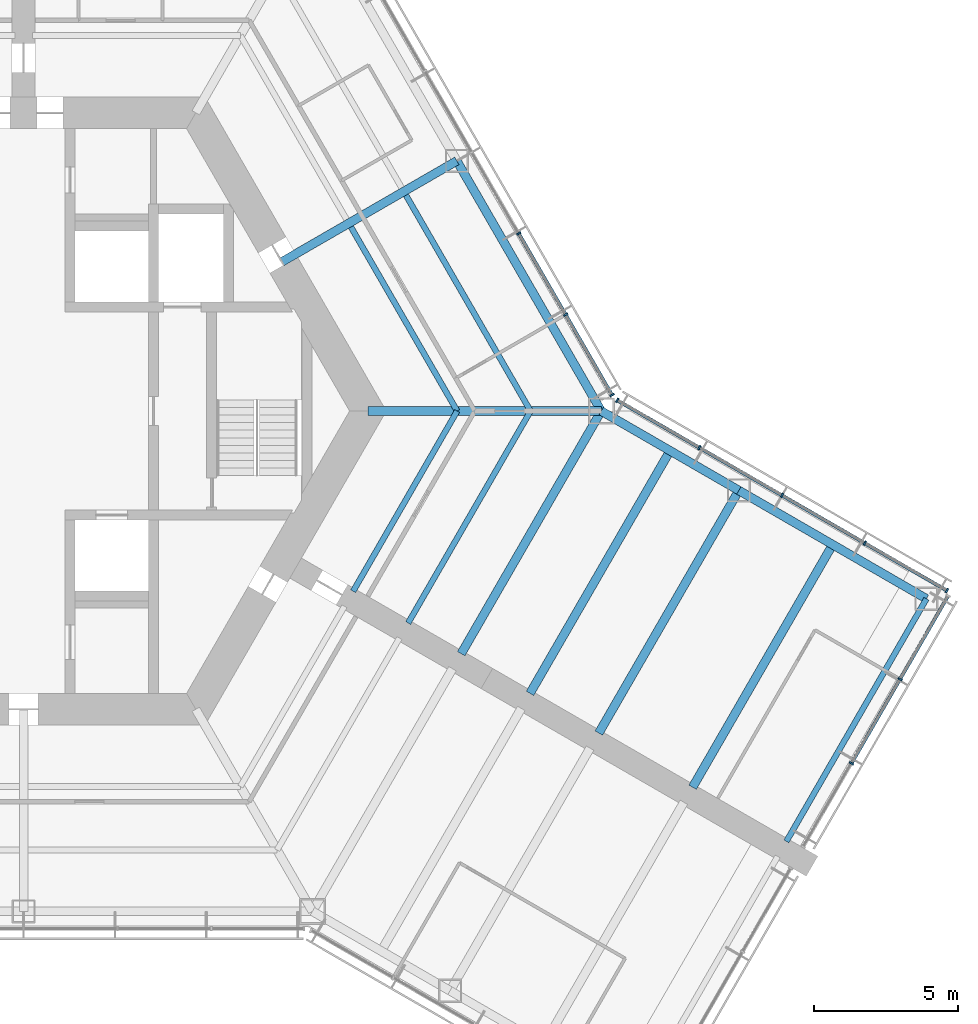
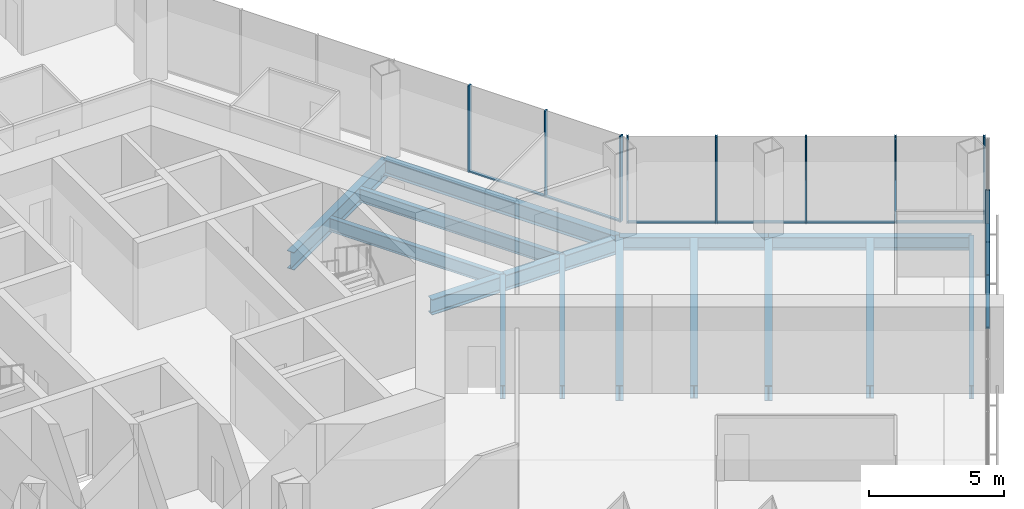
# One storey, part 6 of 18: 18 members, 14 beams, 3 elements without a shape of their own.
"""IFC4 building model written with IfcOpenShell, lengths in metres."""

from ifc_helpers import new_model, si_unit, direction, frame, origin, origin_2d, place, context, subcontext, project, spatial, rectangle, i_section, extrude, material, material_profile, profile_set, type_object, element, aggregate, save


model = new_model("IFC4")

# Units and contexts
model_context = context("Model", 3, precision=1e-05, world=origin(), true_north=direction((0.0, 1.0)))
body_context = subcontext(model_context, "Body", "Model", "MODEL_VIEW")
ifc_project = project(units=[si_unit("LENGTHUNIT", "METRE"), si_unit("AREAUNIT", "SQUARE_METRE"), si_unit("VOLUMEUNIT", "CUBIC_METRE"), si_unit("PLANEANGLEUNIT", "RADIAN"), si_unit("MASSUNIT", "GRAM", prefix="KILO")], contexts=[model_context])

# Site, building, storey
site_placement = place(None, origin())
site = spatial("IfcSite", under=ifc_project, at=site_placement, CompositionType="ELEMENT")
building_placement = place(site_placement, origin())
building = spatial("IfcBuilding", under=site, at=building_placement, Name="Kasaneha Research Tower", CompositionType="ELEMENT")
storey_placement = place(building_placement, frame((0.0, 0.0, 80.699951171875)))
storey = spatial("IfcBuildingStorey", under=building, at=storey_placement, Name="L20", CompositionType="ELEMENT", Elevation=80.699951171875)

# Beams
ifc_material_1 = material(Name="Steel SN490B", Category="steel")
ifc_material_profile_1 = material_profile(ifc_material_1, i_section(OverallWidth=0.199951171875, OverallDepth=0.60009765625, WebThickness=0.010986328125, FlangeThickness=0.01708984375, FilletRadius=0.012939453125, at=origin_2d()), Name="H-600x200x11x17")
ifc_profile_set_1 = profile_set([ifc_material_profile_1], Name="Steel SN490B")
beam_type_1 = type_object("IfcBeamType", Name="B1-3 secondary beam H-600x200x11x17", PredefinedType="JOIST", material=ifc_profile_set_1)
beam_1_placement = place(storey_placement, frame((15.010986328125, 0.0, -0.449951171875), z_axis=(-0.499994443168, 0.866028611999, 0.0), x_axis=(-0.866028611999, -0.499994443168, 0.0)))
element("IfcBeam", 1, at=beam_1_placement, inside=storey, type_object=beam_type_1, Name="Secondary beam RS030L1 L20", PredefinedType="JOIST", context=body_context, shape_type="SweptSolid", body=[
    extrude(i_section(OverallWidth=0.199951171875, OverallDepth=0.60009765625, WebThickness=0.010986328125, FlangeThickness=0.01708984375, FilletRadius=0.012939453125, at=origin_2d()), origin(), (0.0, 0.0, 1.0), 7.35546875),
])
beam_2_placement = place(storey_placement, frame((17.551513671875, 0.0, -0.449951171875), z_axis=(-0.5000050195, 0.866022505755, 0.0), x_axis=(-0.866022505755, -0.5000050195, 0.0)))
element("IfcBeam", 2, at=beam_2_placement, inside=storey, type_object=beam_type_1, Name="Secondary beam RS030L2 L20", PredefinedType="JOIST", context=body_context, shape_type="SweptSolid", body=[
    extrude(i_section(OverallWidth=0.199951171875, OverallDepth=0.60009765625, WebThickness=0.010986328125, FlangeThickness=0.01708984375, FilletRadius=0.012939453125, at=origin_2d()), origin(), (0.0, 0.0, 1.0), 8.6259765625),
])
beam_3_placement = place(storey_placement, frame((15.010986328125, 0.0, -0.449951171875), z_axis=(-0.499972735707, -0.866041144259, 0.0), x_axis=(0.866041144259, -0.499972735707, 0.0)))
element("IfcBeam", 3, at=beam_3_placement, inside=storey, type_object=beam_type_1, Name="Secondary beam RS330R1 L20", PredefinedType="JOIST", context=body_context, shape_type="SweptSolid", body=[
    extrude(i_section(OverallWidth=0.199951171875, OverallDepth=0.60009765625, WebThickness=0.010986328125, FlangeThickness=0.01708984375, FilletRadius=0.012939453125, at=origin_2d()), origin(), (0.0, 0.0, 1.0), 7.20556640625),
])
beam_4_placement = place(storey_placement, frame((17.551513671875, 0.0, -0.449951171875), z_axis=(-0.500020829043, -0.866013377797, 0.0), x_axis=(0.866013377797, -0.500020829043, 0.0)))
element("IfcBeam", 4, at=beam_4_placement, inside=storey, type_object=beam_type_1, Name="Secondary beam RS330R2 L20", PredefinedType="JOIST", context=body_context, shape_type="SweptSolid", body=[
    extrude(i_section(OverallWidth=0.199951171875, OverallDepth=0.60009765625, WebThickness=0.010986328125, FlangeThickness=0.01708984375, FilletRadius=0.012939453125, at=origin_2d()), origin(), (0.0, 0.0, 1.0), 8.475830078125),
])
ifc_material_2 = material(Name="Steel SN490B", Category="steel")
ifc_material_profile_2 = material_profile(ifc_material_2, i_section(OverallWidth=0.300048828125, OverallDepth=0.58203125, WebThickness=0.011962890625, FlangeThickness=0.01708984375, FilletRadius=0.012939453125, at=origin_2d()), Name="H-582x300x12x17")
ifc_profile_set_2 = profile_set([ifc_material_profile_2], Name="Steel SN490B")
beam_type_2 = type_object("IfcBeamType", Name="B2-3 secondary beam H-582x300x12x17", PredefinedType="JOIST", material=ifc_profile_set_2)
for number, where, z_axis, x_axis, name in (
    (5, (22.381591796875, -1.375, -0.44091796875), (-0.500010041276, -0.866019606374, 0.0), (0.866019606374, -0.500010041276, 0.0), "Secondary beam WBCN1 L20"),
    (6, (28.0107421875, -4.625, -0.44091796875), (-0.500010041276, -0.866019606374, 0.0), (0.866019606374, -0.500010041276, 0.0), "Secondary beam WBCN2 L20"),
):
    element("IfcBeam", number, at=place(storey_placement, frame(where, z_axis=z_axis, x_axis=x_axis)), inside=storey, type_object=beam_type_2, Name=name, PredefinedType="JOIST", context=body_context, shape_type="SweptSolid", body=[
        extrude(i_section(OverallWidth=0.300048828125, OverallDepth=0.58203125, WebThickness=0.011962890625, FlangeThickness=0.01708984375, FilletRadius=0.012939453125, at=origin_2d()), origin(), (0.0, 0.0, 1.0), 9.699951171875),
    ])

# Curtain wall, members
ifc_material_3 = material(Name="Glass and aluminium", Category="aluminium")
curtain_wall_type = type_object("IfcCurtainWallType", Name="Low-rise office curtain wall", PredefinedType="USERDEFINED", material=ifc_material_3)
curtain_wall_1_placement = place(storey_placement, origin())
curtain_wall_1 = element("IfcCurtainWall", 7, at=curtain_wall_1_placement, inside=storey, type_object=curtain_wall_type, Name="CW-O1 L20 run 05a", ObjectType="UNITISED CURTAIN WALL", PredefinedType="USERDEFINED")
ifc_material_4 = material(Name="Aluminium 6063-T6", Category="aluminium")
ifc_material_profile_3 = material_profile(ifc_material_4, rectangle(XDim=0.06005859375, YDim=0.159912109375, at=origin_2d()), Name="CW-O1 mullion 60x160")
ifc_profile_set_3 = profile_set([ifc_material_profile_3], Name="Aluminium 6063-T6")
member_type_1 = type_object("IfcMemberType", Name="CW-O1 mullion", PredefinedType="MULLION", material=ifc_profile_set_3)
member_1_placement = place(storey_placement, frame((28.661376953125, -12.1982421875, 0.0), z_axis=(0.0, 0.0, 1.0), x_axis=(0.500000011442, 0.866025397178, 0.0)))
member_1 = element("IfcMember", 8, at=member_1_placement, type_object=member_type_1, Name="CW-O1 mullion 2", PredefinedType="MULLION", context=body_context, shape_type="SweptSolid", body=[
    extrude(rectangle(XDim=0.06005859375, YDim=0.159912109375, at=origin_2d()), origin(), (0.0, 0.0, 1.0), 3.900146484375),
])
member_2_placement = place(storey_placement, frame((30.3447265625, -9.28271484375, 0.0), z_axis=(0.0, 0.0, 1.0), x_axis=(0.500000011442, 0.866025397178, 0.0)))
member_2 = element("IfcMember", 9, at=member_2_placement, type_object=member_type_1, Name="CW-O1 mullion 3", PredefinedType="MULLION", context=body_context, shape_type="SweptSolid", body=[
    extrude(rectangle(XDim=0.06005859375, YDim=0.159912109375, at=origin_2d()), origin(), (0.0, 0.0, 1.0), 3.900146484375),
])

curtain_wall_2_placement = place(storey_placement, origin())
curtain_wall_2 = element("IfcCurtainWall", 10, at=curtain_wall_2_placement, inside=storey, type_object=curtain_wall_type, Name="CW-O1 L20 run 06a", ObjectType="UNITISED CURTAIN WALL", PredefinedType="USERDEFINED")
member_3_placement = place(storey_placement, frame((31.96533203125, -6.21533203125, 0.0), z_axis=(0.0, 0.0, 1.0), x_axis=(-0.866025411464, 0.499999986699, 0.0)))
member_3 = element("IfcMember", 11, at=member_3_placement, type_object=member_type_1, Name="CW-O1 mullion 1", PredefinedType="MULLION", context=body_context, shape_type="SweptSolid", body=[
    extrude(rectangle(XDim=0.06005859375, YDim=0.159912109375, at=origin_2d()), origin(), (0.0, 0.0, 1.0), 3.900146484375),
])
member_4_placement = place(storey_placement, frame((29.125, -4.575439453125, 0.0), z_axis=(0.0, 0.0, 1.0), x_axis=(-0.866025411464, 0.499999986699, 0.0)))
member_4 = element("IfcMember", 12, at=member_4_placement, type_object=member_type_1, Name="CW-O1 mullion 2", PredefinedType="MULLION", context=body_context, shape_type="SweptSolid", body=[
    extrude(rectangle(XDim=0.06005859375, YDim=0.159912109375, at=origin_2d()), origin(), (0.0, 0.0, 1.0), 3.900146484375),
])
member_5_placement = place(storey_placement, frame((26.258544921875, -2.920654296875, 0.0), z_axis=(0.0, 0.0, 1.0), x_axis=(-0.866025411464, 0.499999986699, 0.0)))
member_5 = element("IfcMember", 13, at=member_5_placement, type_object=member_type_1, Name="CW-O1 mullion 3", PredefinedType="MULLION", context=body_context, shape_type="SweptSolid", body=[
    extrude(rectangle(XDim=0.06005859375, YDim=0.159912109375, at=origin_2d()), origin(), (0.0, 0.0, 1.0), 3.900146484375),
])
member_6_placement = place(storey_placement, frame((23.39208984375, -1.265625, 0.0), z_axis=(0.0, 0.0, 1.0), x_axis=(-0.866025411464, 0.499999986699, 0.0)))
member_6 = element("IfcMember", 14, at=member_6_placement, type_object=member_type_1, Name="CW-O1 mullion 4", PredefinedType="MULLION", context=body_context, shape_type="SweptSolid", body=[
    extrude(rectangle(XDim=0.06005859375, YDim=0.159912109375, at=origin_2d()), origin(), (0.0, 0.0, 1.0), 3.900146484375),
])
member_7_placement = place(storey_placement, frame((20.5517578125, 0.374267578125, 0.0), z_axis=(0.0, 0.0, 1.0), x_axis=(-0.866025411464, 0.499999986699, 0.0)))
member_7 = element("IfcMember", 15, at=member_7_placement, type_object=member_type_1, Name="CW-O1 mullion 5", PredefinedType="MULLION", context=body_context, shape_type="SweptSolid", body=[
    extrude(rectangle(XDim=0.06005859375, YDim=0.159912109375, at=origin_2d()), origin(), (0.0, 0.0, 1.0), 3.900146484375),
])

curtain_wall_3_placement = place(storey_placement, origin())
curtain_wall_3 = element("IfcCurtainWall", 16, at=curtain_wall_3_placement, inside=storey, type_object=curtain_wall_type, Name="CW-O1 L20 run 07a", ObjectType="UNITISED CURTAIN WALL", PredefinedType="USERDEFINED")
member_8_placement = place(storey_placement, frame((20.374267578125, 0.5517578125, 0.0), z_axis=(0.0, 0.0, 1.0), x_axis=(-0.49999996188, 0.866025425793, 0.0)))
member_8 = element("IfcMember", 17, at=member_8_placement, type_object=member_type_1, Name="CW-O1 mullion 1", PredefinedType="MULLION", context=body_context, shape_type="SweptSolid", body=[
    extrude(rectangle(XDim=0.06005859375, YDim=0.159912109375, at=origin_2d()), origin(), (0.0, 0.0, 1.0), 3.900146484375),
])
member_9_placement = place(storey_placement, frame((18.76611328125, 3.33740234375, 0.0), z_axis=(0.0, 0.0, 1.0), x_axis=(-0.49999996188, 0.866025425793, 0.0)))
member_9 = element("IfcMember", 18, at=member_9_placement, type_object=member_type_1, Name="CW-O1 mullion 2", PredefinedType="MULLION", context=body_context, shape_type="SweptSolid", body=[
    extrude(rectangle(XDim=0.06005859375, YDim=0.159912109375, at=origin_2d()), origin(), (0.0, 0.0, 1.0), 3.900146484375),
])
member_10_placement = place(storey_placement, frame((17.142822265625, 6.148681640625, 0.0), z_axis=(0.0, 0.0, 1.0), x_axis=(-0.49999996188, 0.866025425793, 0.0)))
member_10 = element("IfcMember", 19, at=member_10_placement, type_object=member_type_1, Name="CW-O1 mullion 3", PredefinedType="MULLION", context=body_context, shape_type="SweptSolid", body=[
    extrude(rectangle(XDim=0.06005859375, YDim=0.159912109375, at=origin_2d()), origin(), (0.0, 0.0, 1.0), 3.900146484375),
])

# Member
ifc_material_5 = material(Name="Aluminium 6063-T6", Category="aluminium")
ifc_material_profile_4 = material_profile(ifc_material_5, rectangle(XDim=0.1201171875, YDim=0.06005859375, at=origin_2d()), Name="CW-O1 transom 120x60")
ifc_profile_set_4 = profile_set([ifc_material_profile_4], Name="Aluminium 6063-T6")
member_type_2 = type_object("IfcMemberType", Name="CW-O1 transom", PredefinedType="USERDEFINED", material=ifc_profile_set_4)
member_11_placement = place(storey_placement, frame((28.67626953125, -12.17236328125, 0.030029296875), z_axis=(0.499982354831, 0.866035590988, 0.0), x_axis=(-0.866035590988, 0.499982354831, 0.0)))
member_11 = element("IfcMember", 20, at=member_11_placement, type_object=member_type_2, Name="CW-O1 transom 2", ObjectType="TRANSOM", PredefinedType="USERDEFINED", context=body_context, shape_type="SweptSolid", body=[
    extrude(rectangle(XDim=0.1201171875, YDim=0.06005859375, at=origin_2d()), origin(), (0.0, 0.0, 1.0), 3.306640625),
])

member_12_placement = place(storey_placement, frame((30.359619140625, -9.256591796875, 0.030029296875), z_axis=(0.500025583411, 0.866010632691, 0.0), x_axis=(-0.866010632691, 0.500025583411, 0.0)))
member_12 = element("IfcMember", 21, at=member_12_placement, type_object=member_type_2, Name="CW-O1 transom 3", ObjectType="TRANSOM", PredefinedType="USERDEFINED", context=body_context, shape_type="SweptSolid", body=[
    extrude(rectangle(XDim=0.1201171875, YDim=0.06005859375, at=origin_2d()), origin(), (0.0, 0.0, 1.0), 3.276611328125),
])

aggregate(curtain_wall_1, [member_1, member_2, member_11, member_12])

member_13_placement = place(storey_placement, frame((31.939453125, -6.200439453125, 0.030029296875), z_axis=(-0.866041647767, 0.499971863542, 0.0), x_axis=(-0.499971863542, -0.866041647767, 0.0)))
member_13 = element("IfcMember", 22, at=member_13_placement, type_object=member_type_2, Name="CW-O1 transom 1", ObjectType="TRANSOM", PredefinedType="USERDEFINED", context=body_context, shape_type="SweptSolid", body=[
    extrude(rectangle(XDim=0.1201171875, YDim=0.06005859375, at=origin_2d()), origin(), (0.0, 0.0, 1.0), 3.219970703125),
])

member_14_placement = place(storey_placement, frame((29.098876953125, -4.560546875, 0.030029296875), z_axis=(-0.86599666273, 0.500049777664, 0.0), x_axis=(-0.500049777664, -0.86599666273, 0.0)))
member_14 = element("IfcMember", 23, at=member_14_placement, type_object=member_type_2, Name="CW-O1 transom 2", ObjectType="TRANSOM", PredefinedType="USERDEFINED", context=body_context, shape_type="SweptSolid", body=[
    extrude(rectangle(XDim=0.1201171875, YDim=0.06005859375, at=origin_2d()), origin(), (0.0, 0.0, 1.0), 3.249755859375),
])

member_15_placement = place(storey_placement, frame((26.232666015625, -2.905517578125, 0.030029296875), z_axis=(-0.86604797581, 0.499960902066, 0.0), x_axis=(-0.499960902066, -0.86604797581, 0.0)))
member_15 = element("IfcMember", 24, at=member_15_placement, type_object=member_type_2, Name="CW-O1 transom 3", ObjectType="TRANSOM", PredefinedType="USERDEFINED", context=body_context, shape_type="SweptSolid", body=[
    extrude(rectangle(XDim=0.1201171875, YDim=0.06005859375, at=origin_2d()), origin(), (0.0, 0.0, 1.0), 3.249755859375),
])

member_16_placement = place(storey_placement, frame((23.3662109375, -1.250732421875, 0.030029296875), z_axis=(-0.866022692473, 0.500004696101, 0.0), x_axis=(-0.500004696101, -0.866022692473, 0.0)))
member_16 = element("IfcMember", 25, at=member_16_placement, type_object=member_type_2, Name="CW-O1 transom 4", ObjectType="TRANSOM", PredefinedType="USERDEFINED", context=body_context, shape_type="SweptSolid", body=[
    extrude(rectangle(XDim=0.1201171875, YDim=0.06005859375, at=origin_2d()), origin(), (0.0, 0.0, 1.0), 3.2197265625),
])

aggregate(curtain_wall_2, [member_3, member_4, member_5, member_6, member_7, member_13, member_14, member_15, member_16])

member_17_placement = place(storey_placement, frame((20.359130859375, 0.577880859375, 0.030029296875), z_axis=(-0.499999210213, 0.866025859768, 0.0), x_axis=(-0.866025859768, -0.499999210213, 0.0)))
member_17 = element("IfcMember", 26, at=member_17_placement, type_object=member_type_2, Name="CW-O1 transom 1", ObjectType="TRANSOM", PredefinedType="USERDEFINED", context=body_context, shape_type="SweptSolid", body=[
    extrude(rectangle(XDim=0.1201171875, YDim=0.06005859375, at=origin_2d()), origin(), (0.0, 0.0, 1.0), 3.15625),
])

member_18_placement = place(storey_placement, frame((18.7509765625, 3.36328125, 0.030029296875), z_axis=(-0.500012062035, 0.866018439653, 0.0), x_axis=(-0.866018439653, -0.500012062035, 0.0)))
member_18 = element("IfcMember", 27, at=member_18_placement, type_object=member_type_2, Name="CW-O1 transom 2", ObjectType="TRANSOM", PredefinedType="USERDEFINED", context=body_context, shape_type="SweptSolid", body=[
    extrude(rectangle(XDim=0.1201171875, YDim=0.06005859375, at=origin_2d()), origin(), (0.0, 0.0, 1.0), 3.1865234375),
])

aggregate(curtain_wall_3, [member_8, member_9, member_10, member_17, member_18])

# Beams
ifc_material_6 = material(Name="Steel SN490B", Category="steel")
ifc_material_profile_5 = material_profile(ifc_material_6, i_section(OverallWidth=0.300048828125, OverallDepth=0.699951171875, WebThickness=0.012939453125, FlangeThickness=0.02392578125, FilletRadius=0.01806640625, at=origin_2d()), Name="H-700x300x13x24")
ifc_profile_set_5 = profile_set([ifc_material_profile_5], Name="Steel SN490B")
beam_type_3 = type_object("IfcBeamType", Name="G1-3 radial girder H-700x300x13x24", PredefinedType="BEAM", material=ifc_profile_set_5)
beam_5_placement = place(storey_placement, frame((11.92236328125, 0.0, -0.5), z_axis=(1.0, 0.0, 0.0), x_axis=(0.0, 1.0, 0.0)))
element("IfcBeam", 28, at=beam_5_placement, inside=storey, type_object=beam_type_3, Name="Radial girder RV000 L20", PredefinedType="BEAM", context=body_context, shape_type="SweptSolid", body=[
    extrude(i_section(OverallWidth=0.300048828125, OverallDepth=0.699951171875, WebThickness=0.012939453125, FlangeThickness=0.02392578125, FilletRadius=0.01806640625, at=origin_2d()), origin(), (0.0, 0.0, 1.0), 8.07763671875),
])
ifc_material_7 = material(Name="Steel SN490B", Category="steel")
ifc_material_profile_6 = material_profile(ifc_material_7, i_section(OverallWidth=0.300048828125, OverallDepth=0.800048828125, WebThickness=0.013916015625, FlangeThickness=0.02587890625, FilletRadius=0.01806640625, at=origin_2d()), Name="H-800x300x14x26")
ifc_profile_set_6 = profile_set([ifc_material_profile_6], Name="Steel SN490B")
beam_type_4 = type_object("IfcBeamType", Name="G2-3 radial girder H-800x300x14x26", PredefinedType="BEAM", material=ifc_profile_set_6)
beam_6_placement = place(storey_placement, frame((8.941650390625, 5.16259765625, -0.550048828125), z_axis=(0.866039713508, 0.499975214012, 0.0), x_axis=(-0.499975214012, 0.866039713508, 0.0)))
element("IfcBeam", 29, at=beam_6_placement, inside=storey, type_object=beam_type_4, Name="Radial girder RM030 L20", PredefinedType="BEAM", context=body_context, shape_type="SweptSolid", body=[
    extrude(i_section(OverallWidth=0.300048828125, OverallDepth=0.800048828125, WebThickness=0.013916015625, FlangeThickness=0.02587890625, FilletRadius=0.01806640625, at=origin_2d()), origin(), (0.0, 0.0, 1.0), 6.995361328125),
])
ifc_material_8 = material(Name="Steel SN490B", Category="steel")
ifc_material_profile_7 = material_profile(ifc_material_8, i_section(OverallWidth=0.300048828125, OverallDepth=0.69189453125, WebThickness=0.012939453125, FlangeThickness=0.02001953125, FilletRadius=0.01806640625, at=origin_2d()), Name="H-692x300x13x20")
ifc_profile_set_7 = profile_set([ifc_material_profile_7], Name="Steel SN490B")
beam_type_5 = type_object("IfcBeamType", Name="G3-3 plate edge girder H-692x300x13x20", PredefinedType="BEAM", material=ifc_profile_set_7)
beam_7_placement = place(storey_placement, frame((20.0, 0.0, -0.495849609375), z_axis=(-0.500010041276, -0.866019606374, 0.0), x_axis=(0.866019606374, -0.500010041276, 0.0)))
element("IfcBeam", 30, at=beam_7_placement, inside=storey, type_object=beam_type_5, Name="Plate edge girder PECN L20", PredefinedType="BEAM", context=body_context, shape_type="SweptSolid", body=[
    extrude(i_section(OverallWidth=0.300048828125, OverallDepth=0.69189453125, WebThickness=0.012939453125, FlangeThickness=0.02001953125, FilletRadius=0.01806640625, at=origin_2d()), origin(), (0.0, 0.0, 1.0), 9.699951171875),
])
ifc_material_9 = material(Name="Steel SN490B", Category="steel")
ifc_material_profile_8 = material_profile(ifc_material_9, i_section(OverallWidth=0.300048828125, OverallDepth=0.699951171875, WebThickness=0.012939453125, FlangeThickness=0.02392578125, FilletRadius=0.01806640625, at=origin_2d()), Name="H-700x300x13x24")
ifc_profile_set_8 = profile_set([ifc_material_profile_8], Name="Steel SN490B")
beam_type_6 = type_object("IfcBeamType", Name="G4-3 wing girder H-700x300x13x24", PredefinedType="BEAM", material=ifc_profile_set_8)
beam_8_placement = place(storey_placement, frame((24.76318359375, -2.75, -0.5), z_axis=(-0.500010041276, -0.866019606374, 0.0), x_axis=(0.866019606374, -0.500010041276, 0.0)))
element("IfcBeam", 31, at=beam_8_placement, inside=storey, type_object=beam_type_6, Name="Wing girder WGCN L20", PredefinedType="BEAM", context=body_context, shape_type="SweptSolid", body=[
    extrude(i_section(OverallWidth=0.300048828125, OverallDepth=0.699951171875, WebThickness=0.012939453125, FlangeThickness=0.02392578125, FilletRadius=0.01806640625, at=origin_2d()), origin(), (0.0, 0.0, 1.0), 9.699951171875),
])
ifc_material_10 = material(Name="Steel SN490B", Category="steel")
ifc_material_profile_9 = material_profile(ifc_material_10, i_section(OverallWidth=0.300048828125, OverallDepth=0.69189453125, WebThickness=0.012939453125, FlangeThickness=0.02001953125, FilletRadius=0.01806640625, at=origin_2d()), Name="H-692x300x13x20")
ifc_profile_set_9 = profile_set([ifc_material_profile_9], Name="Steel SN490B")
beam_type_7 = type_object("IfcBeamType", Name="SB1-3 spandrel beam H-692x300x13x20", PredefinedType="SPANDREL", material=ifc_profile_set_9)
beam_9_placement = place(storey_placement, frame((20.0, 0.0, -0.495849609375), z_axis=(-0.500004234368, 0.866022959057, 0.0), x_axis=(-0.866022959057, -0.500004234368, 0.0)))
element("IfcBeam", 32, at=beam_9_placement, inside=storey, type_object=beam_type_7, Name="Spandrel beam SR030L L20", PredefinedType="SPANDREL", context=body_context, shape_type="SweptSolid", body=[
    extrude(i_section(OverallWidth=0.300048828125, OverallDepth=0.69189453125, WebThickness=0.012939453125, FlangeThickness=0.02001953125, FilletRadius=0.01806640625, at=origin_2d()), origin(), (0.0, 0.0, 1.0), 10.0),
])
ifc_material_11 = material(Name="Steel SN490B", Category="steel")
ifc_material_profile_10 = material_profile(ifc_material_11, i_section(OverallWidth=0.300048828125, OverallDepth=0.58203125, WebThickness=0.011962890625, FlangeThickness=0.01708984375, FilletRadius=0.012939453125, at=origin_2d()), Name="H-582x300x12x17")
ifc_profile_set_10 = profile_set([ifc_material_profile_10], Name="Steel SN490B")
beam_type_8 = type_object("IfcBeamType", Name="SB2-3 spandrel beam H-582x300x12x17", PredefinedType="SPANDREL", material=ifc_profile_set_10)
beam_10_placement = place(storey_placement, frame((20.0, 0.0, -0.44091796875), z_axis=(0.866027397988, -0.499996545922, 0.0), x_axis=(0.499996545922, 0.866027397988, 0.0)))
element("IfcBeam", 33, at=beam_10_placement, inside=storey, type_object=beam_type_8, Name="Spandrel beam WSCN1 L20", PredefinedType="SPANDREL", context=body_context, shape_type="SweptSolid", body=[
    extrude(i_section(OverallWidth=0.300048828125, OverallDepth=0.58203125, WebThickness=0.011962890625, FlangeThickness=0.01708984375, FilletRadius=0.012939453125, at=origin_2d()), origin(), (0.0, 0.0, 1.0), 5.5),
])
beam_11_placement = place(storey_placement, frame((24.76318359375, -2.75, -0.44091796875), z_axis=(0.866022959057, -0.500004234368, 0.0), x_axis=(0.500004234368, 0.866022959057, 0.0)))
element("IfcBeam", 34, at=beam_11_placement, inside=storey, type_object=beam_type_8, Name="Spandrel beam WSCN2 L20", PredefinedType="SPANDREL", context=body_context, shape_type="SweptSolid", body=[
    extrude(i_section(OverallWidth=0.300048828125, OverallDepth=0.58203125, WebThickness=0.011962890625, FlangeThickness=0.01708984375, FilletRadius=0.012939453125, at=origin_2d()), origin(), (0.0, 0.0, 1.0), 7.5),
])
ifc_material_12 = material(Name="Steel SN490B", Category="steel")
ifc_material_profile_11 = material_profile(ifc_material_12, i_section(OverallWidth=0.199951171875, OverallDepth=0.60009765625, WebThickness=0.010986328125, FlangeThickness=0.01708984375, FilletRadius=0.012939453125, at=origin_2d()), Name="H-600x200x11x17")
ifc_profile_set_11 = profile_set([ifc_material_profile_11], Name="Steel SN490B")
beam_type_9 = type_object("IfcBeamType", Name="SB3-3 spandrel beam H-600x200x11x17", PredefinedType="SPANDREL", material=ifc_profile_set_11)
beam_12_placement = place(storey_placement, frame((31.25830078125, -6.5, -0.449951171875), z_axis=(-0.499991164321, -0.866030505006, 0.0), x_axis=(0.866030505006, -0.499991164321, 0.0)))
element("IfcBeam", 35, at=beam_12_placement, inside=storey, type_object=beam_type_9, Name="Spandrel beam WTCN L20", PredefinedType="SPANDREL", context=body_context, shape_type="SweptSolid", body=[
    extrude(i_section(OverallWidth=0.199951171875, OverallDepth=0.60009765625, WebThickness=0.010986328125, FlangeThickness=0.01708984375, FilletRadius=0.012939453125, at=origin_2d()), origin(), (0.0, 0.0, 1.0), 9.699951171875),
])

save(model, "model.ifc")
